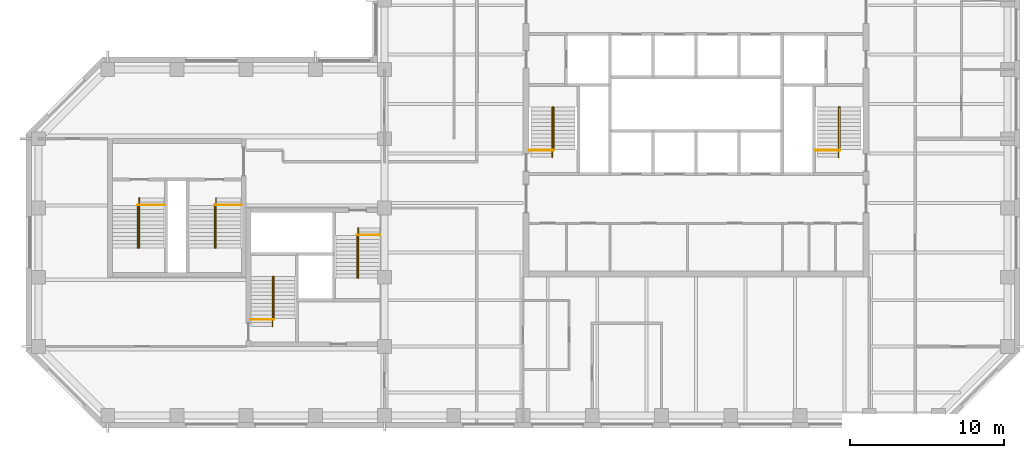
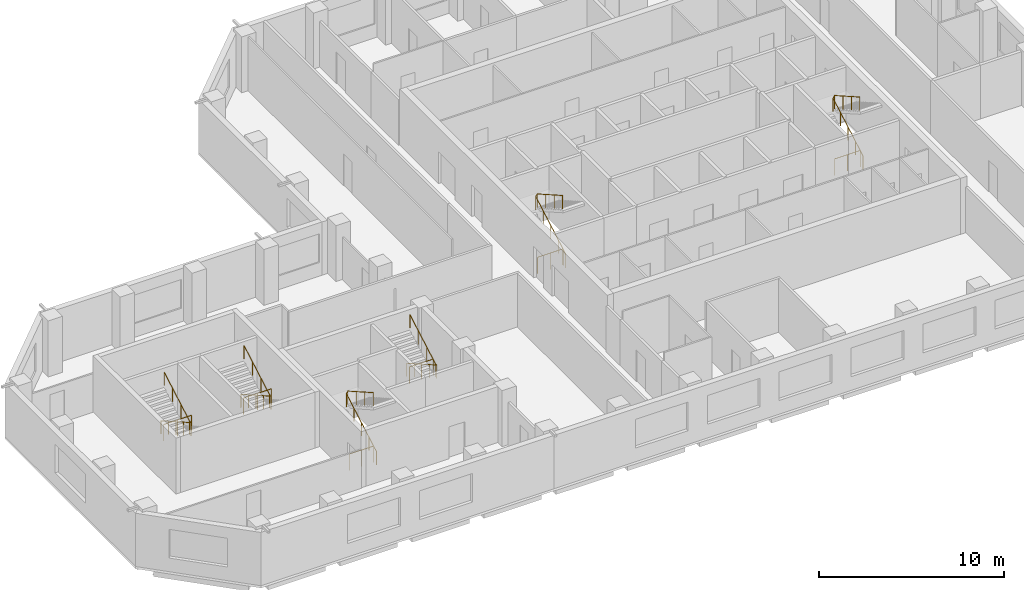
# One storey, part 9 of 9: 12 railings.
"""IFC4 building model written with IfcOpenShell, lengths in metres."""

import ifcopenshell
import ifcopenshell.guid

model = None  # the IFC model being written
_history = None  # IfcOwnerHistory: only IFC2X3 demands one
_inside = {}  # id of a spatial element -> (the spatial element, [elements in it])
_under = {}  # id of a project, library or spatial element -> (it, [spatial elements below it])
_declared = {}  # id of a project -> (the project, [libraries it declares])
_typed = {}  # id of a type object -> (the type object, [elements of that type])
_made_of = {}  # id of a material, layer set ... -> (it, [elements and type objects made of it])


def new_model(schema):
    """Start an empty IFC model of exactly this schema.

    Asked for "IFC4X3", IfcOpenShell would pick the latest addendum, in which some entities
    have other attributes; the version numbers below select the first issue.
    IFC2X3 requires an IfcOwnerHistory on every rooted entity: one is made here for all.
    """
    global model, _history
    if schema == "IFC4X3":
        model = ifcopenshell.file(schema_version=(4, 3, 0, 0))
    else:
        model = ifcopenshell.file(schema=schema)
    _inside.clear()
    _under.clear()
    _declared.clear()
    _typed.clear()
    _made_of.clear()
    _history = None
    if model.schema == "IFC2X3":
        org = make("IfcOrganization", Name="unknown")
        user = make(
            "IfcPersonAndOrganization",
            ThePerson=make("IfcPerson", FamilyName="unknown"),
            TheOrganization=org,
        )
        app = make(
            "IfcApplication",
            ApplicationDeveloper=org,
            Version="unknown",
            ApplicationFullName="unknown",
            ApplicationIdentifier="unknown",
        )
        _history = make(
            "IfcOwnerHistory",
            OwningUser=user,
            OwningApplication=app,
            ChangeAction="ADDED",
            CreationDate=0,
        )
    return model


def make(cls, **values):
    """One entity of the class cls with the attributes given. An attribute that is None is left unset."""
    return model.create_entity(
        cls, **{name: value for name, value in values.items() if value is not None}
    )


def rooted(cls, **values):
    """An entity with a GlobalId (a new one), such as an element, a storey or a relation."""
    return make(cls, GlobalId=ifcopenshell.guid.new(), OwnerHistory=_history, **values)


def si_unit(unit_type, name, prefix=None):
    """IfcSIUnit, for example si_unit("LENGTHUNIT", "METRE", prefix="MILLI")."""
    return make("IfcSIUnit", UnitType=unit_type, Prefix=prefix, Name=name)


def assignment(units):
    """IfcUnitAssignment: the units of a project."""
    return None if units is None else make("IfcUnitAssignment", Units=units)


def point(xyz):
    """IfcCartesianPoint."""
    return None if xyz is None else make("IfcCartesianPoint", Coordinates=xyz)


def direction(xyz):
    """IfcDirection."""
    return None if xyz is None else make("IfcDirection", DirectionRatios=xyz)


def frame(location, z_axis=None, x_axis=None):
    """IfcAxis2Placement3D, a coordinate frame: its origin and axes. An axis left out is left unset."""
    return make(
        "IfcAxis2Placement3D",
        Location=point(location),
        Axis=direction(z_axis),
        RefDirection=direction(x_axis),
    )


def frame_2d(location, x_axis=None):
    """IfcAxis2Placement2D, a coordinate frame in the plane: its origin and x axis."""
    return make(
        "IfcAxis2Placement2D", Location=point(location), RefDirection=direction(x_axis)
    )


def origin():
    """The frame at (0, 0, 0) with its axes left unset."""
    return frame((0.0, 0.0, 0.0))


def origin_2d():
    """The frame at (0, 0) in the plane with its x axis left unset."""
    return frame_2d((0.0, 0.0))


def place(relative_to, where):
    """IfcLocalPlacement: puts the frame where relative to a parent placement (None: the world)."""
    return make(
        "IfcLocalPlacement", PlacementRelTo=relative_to, RelativePlacement=where
    )


def context(
    kind, dimensions, precision=None, world=None, true_north=None, identifier=None
):
    """IfcGeometricRepresentationContext, for example the 3D "Model" context."""
    return make(
        "IfcGeometricRepresentationContext",
        ContextIdentifier=identifier,
        ContextType=kind,
        CoordinateSpaceDimension=dimensions,
        Precision=precision,
        WorldCoordinateSystem=world,
        TrueNorth=true_north,
    )


def subcontext(parent, identifier, kind, view, scale=None):
    """IfcGeometricRepresentationSubContext, for example "Body" below "Model"."""
    return make(
        "IfcGeometricRepresentationSubContext",
        ContextIdentifier=identifier,
        ContextType=kind,
        ParentContext=parent,
        TargetScale=scale,
        TargetView=view,
    )


def project(units=None, contexts=None):
    """IfcProject with its units and contexts."""
    return rooted(
        "IfcProject",
        Name="project",
        RepresentationContexts=contexts,
        UnitsInContext=assignment(units),
    )


def spatial(cls, under=None, at=None, **own):
    """A site, building, storey or space (cls), placed at a placement, below another one or the project."""
    s = rooted(cls, ObjectPlacement=at, **own)
    if under is not None:
        _under.setdefault(under.id(), (under, []))[1].append(s)
    return s


def profile(cls, at=None, kind="AREA", **sizes):
    """A parametric profile (cls). Its sizes go by their IFC names, for example OverallWidth=200.0."""
    return make(cls, ProfileType=kind, Position=at, **sizes)


def circle(**sizes):
    """IfcCircleProfileDef."""
    return profile("IfcCircleProfileDef", **sizes)


def extrude(swept, where, along, depth):
    """IfcExtrudedAreaSolid: the profile swept, set in the frame where, extruded along a direction by depth."""
    return make(
        "IfcExtrudedAreaSolid",
        SweptArea=swept,
        Position=where,
        ExtrudedDirection=direction(along),
        Depth=depth,
    )


def shape(context_of_items, identifier, shape_type, items):
    """IfcShapeRepresentation: the items that make up one representation, for example the "Body"."""
    return make(
        "IfcShapeRepresentation",
        ContextOfItems=context_of_items,
        RepresentationIdentifier=identifier,
        RepresentationType=shape_type,
        Items=items,
    )


def material(Name=None, Category=None):
    """IfcMaterial."""
    return make("IfcMaterial", Name=Name, Category=Category)


def made_of(thing, what):
    """Note that an element or type object is made of a material, layer set ...; save() writes the relation."""
    if what is not None:
        _made_of.setdefault(what.id(), (what, []))[1].append(thing)
    return thing


def type_object(cls, material=None, **own):
    """A type object (cls), such as IfcWallType, which elements share."""
    return made_of(rooted(cls, **own), material)


def element(
    cls,
    number,
    at=None,
    inside=None,
    cuts=None,
    type_object=None,
    material=None,
    context=None,
    identifier="Body",
    shape_type=None,
    held_by="IfcProductDefinitionShape",
    body=None,
    shapes=None,
    **own,
):
    """One element of the class cls, such as IfcWall. Its Tag is "e" and its number.

    at: its placement. inside: the storey or other place that contains it. cuts: it is an
    opening in that element (IfcRelVoidsElement). A single representation is given by context,
    identifier, shape_type and body (its items); several are given by shapes. held_by: the class
    of the entity that holds the representations. save() writes the other relations.
    """
    e = rooted(cls, Tag="e%d" % number, ObjectPlacement=at, **own)
    if body is not None:
        shapes = [shape(context, identifier, shape_type, body)]
    if shapes is not None:
        e.Representation = make(held_by, Representations=shapes)
    if inside is not None:
        _inside.setdefault(inside.id(), (inside, []))[1].append(e)
    if cuts is not None:
        rooted(
            "IfcRelVoidsElement", RelatingBuildingElement=cuts, RelatedOpeningElement=e
        )
    if type_object is not None:
        _typed.setdefault(type_object.id(), (type_object, []))[1].append(e)
    return made_of(e, material)


def aggregate(whole, parts):
    """IfcRelAggregates: a whole, such as a stair, and the parts it consists of."""
    return rooted("IfcRelAggregates", RelatingObject=whole, RelatedObjects=parts)


def save(model, path):
    """Write the relations noted so far, then the file.

    IfcRelAggregates (storeys below a building ...), IfcRelContainedInSpatialStructure (elements
    in a storey), IfcRelDefinesByType, IfcRelAssociatesMaterial and IfcRelDeclares: one each for
    every whole, place, type object, material and project.
    """
    for whole, parts in _under.values():
        aggregate(whole, parts)
    for where, things in _inside.values():
        rooted(
            "IfcRelContainedInSpatialStructure",
            RelatedElements=things,
            RelatingStructure=where,
        )
    for kind, things in _typed.values():
        rooted("IfcRelDefinesByType", RelatedObjects=things, RelatingType=kind)
    for what, things in _made_of.values():
        rooted("IfcRelAssociatesMaterial", RelatedObjects=things, RelatingMaterial=what)
    for by, libraries in _declared.values():
        rooted("IfcRelDeclares", RelatingContext=by, RelatedDefinitions=libraries)
    model.write(path)


model = new_model("IFC4")

# Units and contexts
model_context = context("Model", 3, precision=1e-05, world=origin(), true_north=direction((0.0, 1.0)))
body_context = subcontext(model_context, "Body", "Model", "MODEL_VIEW")
ifc_project = project(units=[si_unit("LENGTHUNIT", "METRE"), si_unit("AREAUNIT", "SQUARE_METRE"), si_unit("VOLUMEUNIT", "CUBIC_METRE"), si_unit("PLANEANGLEUNIT", "RADIAN"), si_unit("MASSUNIT", "GRAM", prefix="KILO")], contexts=[model_context])

# Site, building, storey
site_placement = place(None, origin())
site = spatial("IfcSite", under=ifc_project, at=site_placement, CompositionType="ELEMENT")
building_placement = place(site_placement, origin())
building = spatial("IfcBuilding", under=site, at=building_placement, Name="Quoin Convention Tower", CompositionType="ELEMENT")
storey_placement = place(building_placement, frame((0.0, 0.0, 155.10009765625)))
storey = spatial("IfcBuildingStorey", under=building, at=storey_placement, Name="L40", CompositionType="ELEMENT", Elevation=155.10009765625)

# Railings
ifc_material = material(Name="Stainless steel", Category="steel")
railing_type_1 = type_object("IfcRailingType", Name="Stair handrail 900", PredefinedType="HANDRAIL", material=ifc_material)
railing_1_placement = place(storey_placement, frame((46.905029296875, 57.300048828125, 0.14208984375)))
element("IfcRailing", 1, at=railing_1_placement, inside=storey, type_object=railing_type_1, Name="SD1 handrail 1", PredefinedType="HANDRAIL", context=body_context, shape_type="SweptSolid", body=[
    extrude(circle(Radius=0.02392578125, at=origin_2d()), frame((0.0, 0.0, 0.8759765625), z_axis=(0.0, 0.869053504361, 0.494718108177), x_axis=(-1.0, 0.0, 0.0)), (0.0, 0.0, 1.0), 3.73974609375),
    extrude(circle(Radius=0.02392578125, at=origin_2d()), frame((0.0, 3.25, 2.72607421875), z_axis=(0.53481069233, 0.0, 0.844971906852), x_axis=(0.0, 1.0, 0.0)), (0.0, 0.0, 1.0), 0.16845703125),
    extrude(circle(Radius=0.02392578125, at=origin_2d()), frame((0.090087890625, 3.25, 2.8681640625), z_axis=(0.0, -0.869058607571, 0.494709143443), x_axis=(1.0, 0.0, 0.0)), (0.0, 0.0, 1.0), 3.164306640625),
    extrude(circle(Radius=0.02099609375, at=origin_2d()), origin(), (0.0, 0.0, 1.0), 0.851806640625),
    extrude(circle(Radius=0.02099609375, at=origin_2d()), frame((0.0, 0.8125, 0.46240234375)), (0.0, 0.0, 1.0), 0.851806640625),
    extrude(circle(Radius=0.02099609375, at=origin_2d()), frame((0.0, 1.625, 0.925048828125)), (0.0, 0.0, 1.0), 0.851806640625),
    extrude(circle(Radius=0.02099609375, at=origin_2d()), frame((0.0, 2.4375, 1.3876953125)), (0.0, 0.0, 1.0), 0.851806640625),
    extrude(circle(Radius=0.02099609375, at=origin_2d()), frame((0.0, 3.25, 1.85009765625)), (0.0, 0.0, 1.0), 0.851806640625),
    extrude(circle(Radius=0.02099609375, at=origin_2d()), frame((0.090087890625, 3.25, 1.992431640625)), (0.0, 0.0, 1.0), 0.851806640625),
    extrude(circle(Radius=0.02099609375, at=origin_2d()), frame((0.090087890625, 2.333251953125, 2.51416015625)), (0.0, 0.0, 1.0), 0.851806640625),
    extrude(circle(Radius=0.02099609375, at=origin_2d()), frame((0.090087890625, 1.416748046875, 3.0361328125)), (0.0, 0.0, 1.0), 0.851806640625),
    extrude(circle(Radius=0.02099609375, at=origin_2d()), frame((0.090087890625, 0.5, 3.557861328125)), (0.0, 0.0, 1.0), 0.851806640625),
])
railing_2_placement = place(storey_placement, frame((65.5048828125, 57.300048828125, 0.14208984375)))
element("IfcRailing", 2, at=railing_2_placement, inside=storey, type_object=railing_type_1, Name="SD2 handrail 1", PredefinedType="HANDRAIL", context=body_context, shape_type="SweptSolid", body=[
    extrude(circle(Radius=0.02392578125, at=origin_2d()), frame((0.0, 0.0, 0.8759765625), z_axis=(0.0, 0.869053504361, 0.494718108177), x_axis=(-1.0, 0.0, 0.0)), (0.0, 0.0, 1.0), 3.73974609375),
    extrude(circle(Radius=0.02392578125, at=origin_2d()), frame((0.0, 3.25, 2.72607421875), z_axis=(0.53481069233, 0.0, 0.844971906852), x_axis=(0.0, 1.0, 0.0)), (0.0, 0.0, 1.0), 0.16845703125),
    extrude(circle(Radius=0.02392578125, at=origin_2d()), frame((0.090087890625, 3.25, 2.8681640625), z_axis=(0.0, -0.869058607571, 0.494709143443), x_axis=(1.0, 0.0, 0.0)), (0.0, 0.0, 1.0), 3.164306640625),
    extrude(circle(Radius=0.02099609375, at=origin_2d()), origin(), (0.0, 0.0, 1.0), 0.851806640625),
    extrude(circle(Radius=0.02099609375, at=origin_2d()), frame((0.0, 0.8125, 0.46240234375)), (0.0, 0.0, 1.0), 0.851806640625),
    extrude(circle(Radius=0.02099609375, at=origin_2d()), frame((0.0, 1.625, 0.925048828125)), (0.0, 0.0, 1.0), 0.851806640625),
    extrude(circle(Radius=0.02099609375, at=origin_2d()), frame((0.0, 2.4375, 1.3876953125)), (0.0, 0.0, 1.0), 0.851806640625),
    extrude(circle(Radius=0.02099609375, at=origin_2d()), frame((0.0, 3.25, 1.85009765625)), (0.0, 0.0, 1.0), 0.851806640625),
    extrude(circle(Radius=0.02099609375, at=origin_2d()), frame((0.090087890625, 3.25, 1.992431640625)), (0.0, 0.0, 1.0), 0.851806640625),
    extrude(circle(Radius=0.02099609375, at=origin_2d()), frame((0.090087890625, 2.333251953125, 2.51416015625)), (0.0, 0.0, 1.0), 0.851806640625),
    extrude(circle(Radius=0.02099609375, at=origin_2d()), frame((0.090087890625, 1.416748046875, 3.0361328125)), (0.0, 0.0, 1.0), 0.851806640625),
    extrude(circle(Radius=0.02099609375, at=origin_2d()), frame((0.090087890625, 0.5, 3.557861328125)), (0.0, 0.0, 1.0), 0.851806640625),
])
railing_3_placement = place(storey_placement, frame((28.705078125, 46.300048828125, 0.14208984375)))
element("IfcRailing", 3, at=railing_3_placement, inside=storey, type_object=railing_type_1, Name="SD3 handrail 1", PredefinedType="HANDRAIL", context=body_context, shape_type="SweptSolid", body=[
    extrude(circle(Radius=0.02392578125, at=origin_2d()), frame((0.0, 0.0, 0.8759765625), z_axis=(0.0, 0.869053504361, 0.494718108177), x_axis=(-1.0, 0.0, 0.0)), (0.0, 0.0, 1.0), 3.73974609375),
    extrude(circle(Radius=0.02392578125, at=origin_2d()), frame((0.0, 3.25, 2.72607421875), z_axis=(0.533774684331, 0.0, 0.845626741753), x_axis=(0.0, 1.0, 0.0)), (0.0, 0.0, 1.0), 0.168212890625),
    extrude(circle(Radius=0.02392578125, at=origin_2d()), frame((0.08984375, 3.25, 2.8681640625), z_axis=(0.0, -0.869058607571, 0.494709143443), x_axis=(1.0, 0.0, 0.0)), (0.0, 0.0, 1.0), 3.164306640625),
    extrude(circle(Radius=0.02099609375, at=origin_2d()), origin(), (0.0, 0.0, 1.0), 0.851806640625),
    extrude(circle(Radius=0.02099609375, at=origin_2d()), frame((0.0, 0.8125, 0.46240234375)), (0.0, 0.0, 1.0), 0.851806640625),
    extrude(circle(Radius=0.02099609375, at=origin_2d()), frame((0.0, 1.625, 0.925048828125)), (0.0, 0.0, 1.0), 0.851806640625),
    extrude(circle(Radius=0.02099609375, at=origin_2d()), frame((0.0, 2.4375, 1.3876953125)), (0.0, 0.0, 1.0), 0.851806640625),
    extrude(circle(Radius=0.02099609375, at=origin_2d()), frame((0.0, 3.25, 1.85009765625)), (0.0, 0.0, 1.0), 0.851806640625),
    extrude(circle(Radius=0.02099609375, at=origin_2d()), frame((0.08984375, 3.25, 1.992431640625)), (0.0, 0.0, 1.0), 0.851806640625),
    extrude(circle(Radius=0.02099609375, at=origin_2d()), frame((0.08984375, 2.333251953125, 2.51416015625)), (0.0, 0.0, 1.0), 0.851806640625),
    extrude(circle(Radius=0.02099609375, at=origin_2d()), frame((0.08984375, 1.416748046875, 3.0361328125)), (0.0, 0.0, 1.0), 0.851806640625),
    extrude(circle(Radius=0.02099609375, at=origin_2d()), frame((0.08984375, 0.5, 3.557861328125)), (0.0, 0.0, 1.0), 0.851806640625),
])
railing_4_placement = place(storey_placement, frame((34.294921875, 52.699951171875, 0.14208984375)))
element("IfcRailing", 4, at=railing_4_placement, inside=storey, type_object=railing_type_1, Name="SD4 handrail 1", PredefinedType="HANDRAIL", context=body_context, shape_type="SweptSolid", body=[
    extrude(circle(Radius=0.02392578125, at=origin_2d()), frame((0.0, 0.0, 0.8759765625), z_axis=(0.0, -0.869053504361, 0.494718108177), x_axis=(1.0, 0.0, 0.0)), (0.0, 0.0, 1.0), 3.73974609375),
    extrude(circle(Radius=0.02392578125, at=origin_2d()), frame((0.0, -3.25, 2.72607421875), z_axis=(-0.533774684331, 0.0, 0.845626741753), x_axis=(0.0, -1.0, 0.0)), (0.0, 0.0, 1.0), 0.168212890625),
    extrude(circle(Radius=0.02392578125, at=origin_2d()), frame((-0.08984375, -3.25, 2.8681640625), z_axis=(0.0, 0.869058607571, 0.494709143443), x_axis=(-1.0, 0.0, 0.0)), (0.0, 0.0, 1.0), 3.164306640625),
    extrude(circle(Radius=0.02099609375, at=origin_2d()), origin(), (0.0, 0.0, 1.0), 0.851806640625),
    extrude(circle(Radius=0.02099609375, at=origin_2d()), frame((0.0, -0.8125, 0.46240234375)), (0.0, 0.0, 1.0), 0.851806640625),
    extrude(circle(Radius=0.02099609375, at=origin_2d()), frame((0.0, -1.625, 0.925048828125)), (0.0, 0.0, 1.0), 0.851806640625),
    extrude(circle(Radius=0.02099609375, at=origin_2d()), frame((0.0, -2.4375, 1.3876953125)), (0.0, 0.0, 1.0), 0.851806640625),
    extrude(circle(Radius=0.02099609375, at=origin_2d()), frame((0.0, -3.25, 1.85009765625)), (0.0, 0.0, 1.0), 0.851806640625),
    extrude(circle(Radius=0.02099609375, at=origin_2d()), frame((-0.08984375, -3.25, 1.992431640625)), (0.0, 0.0, 1.0), 0.851806640625),
    extrude(circle(Radius=0.02099609375, at=origin_2d()), frame((-0.08984375, -2.333251953125, 2.51416015625)), (0.0, 0.0, 1.0), 0.851806640625),
    extrude(circle(Radius=0.02099609375, at=origin_2d()), frame((-0.08984375, -1.416748046875, 3.0361328125)), (0.0, 0.0, 1.0), 0.851806640625),
    extrude(circle(Radius=0.02099609375, at=origin_2d()), frame((-0.08984375, -0.5, 3.557861328125)), (0.0, 0.0, 1.0), 0.851806640625),
])
railing_5_placement = place(storey_placement, frame((20.044921875, 54.64990234375, 0.14208984375)))
element("IfcRailing", 5, at=railing_5_placement, inside=storey, type_object=railing_type_1, Name="SD11 handrail 1", PredefinedType="HANDRAIL", context=body_context, shape_type="SweptSolid", body=[
    extrude(circle(Radius=0.02392578125, at=origin_2d()), frame((0.0, 0.0, 0.8759765625), z_axis=(0.0, -0.869053504361, 0.494718108177), x_axis=(1.0, 0.0, 0.0)), (0.0, 0.0, 1.0), 3.73974609375),
    extrude(circle(Radius=0.02392578125, at=origin_2d()), frame((0.0, -3.25, 2.72607421875), z_axis=(-0.533774684331, 0.0, 0.845626741753), x_axis=(0.0, -1.0, 0.0)), (0.0, 0.0, 1.0), 0.168212890625),
    extrude(circle(Radius=0.02392578125, at=origin_2d()), frame((-0.08984375, -3.25, 2.8681640625), z_axis=(0.0, 0.869058607571, 0.494709143443), x_axis=(-1.0, 0.0, 0.0)), (0.0, 0.0, 1.0), 3.164306640625),
    extrude(circle(Radius=0.02099609375, at=origin_2d()), origin(), (0.0, 0.0, 1.0), 0.851806640625),
    extrude(circle(Radius=0.02099609375, at=origin_2d()), frame((0.0, -0.8125, 0.46240234375)), (0.0, 0.0, 1.0), 0.851806640625),
    extrude(circle(Radius=0.02099609375, at=origin_2d()), frame((0.0, -1.625, 0.925048828125)), (0.0, 0.0, 1.0), 0.851806640625),
    extrude(circle(Radius=0.02099609375, at=origin_2d()), frame((0.0, -2.4375, 1.3876953125)), (0.0, 0.0, 1.0), 0.851806640625),
    extrude(circle(Radius=0.02099609375, at=origin_2d()), frame((0.0, -3.25, 1.85009765625)), (0.0, 0.0, 1.0), 0.851806640625),
    extrude(circle(Radius=0.02099609375, at=origin_2d()), frame((-0.08984375, -3.25, 1.992431640625)), (0.0, 0.0, 1.0), 0.851806640625),
    extrude(circle(Radius=0.02099609375, at=origin_2d()), frame((-0.08984375, -2.333251953125, 2.51416015625)), (0.0, 0.0, 1.0), 0.851806640625),
    extrude(circle(Radius=0.02099609375, at=origin_2d()), frame((-0.08984375, -1.416748046875, 3.0361328125)), (0.0, 0.0, 1.0), 0.851806640625),
    extrude(circle(Radius=0.02099609375, at=origin_2d()), frame((-0.08984375, -0.5, 3.557861328125)), (0.0, 0.0, 1.0), 0.851806640625),
])
railing_6_placement = place(storey_placement, frame((25.044921875, 54.64990234375, 0.14208984375)))
element("IfcRailing", 6, at=railing_6_placement, inside=storey, type_object=railing_type_1, Name="SD12 handrail 1", PredefinedType="HANDRAIL", context=body_context, shape_type="SweptSolid", body=[
    extrude(circle(Radius=0.02392578125, at=origin_2d()), frame((0.0, 0.0, 0.8759765625), z_axis=(0.0, -0.869053504361, 0.494718108177), x_axis=(1.0, 0.0, 0.0)), (0.0, 0.0, 1.0), 3.73974609375),
    extrude(circle(Radius=0.02392578125, at=origin_2d()), frame((0.0, -3.25, 2.72607421875), z_axis=(-0.533774684331, 0.0, 0.845626741753), x_axis=(0.0, -1.0, 0.0)), (0.0, 0.0, 1.0), 0.168212890625),
    extrude(circle(Radius=0.02392578125, at=origin_2d()), frame((-0.08984375, -3.25, 2.8681640625), z_axis=(0.0, 0.869058607571, 0.494709143443), x_axis=(-1.0, 0.0, 0.0)), (0.0, 0.0, 1.0), 3.164306640625),
    extrude(circle(Radius=0.02099609375, at=origin_2d()), origin(), (0.0, 0.0, 1.0), 0.851806640625),
    extrude(circle(Radius=0.02099609375, at=origin_2d()), frame((0.0, -0.8125, 0.46240234375)), (0.0, 0.0, 1.0), 0.851806640625),
    extrude(circle(Radius=0.02099609375, at=origin_2d()), frame((0.0, -1.625, 0.925048828125)), (0.0, 0.0, 1.0), 0.851806640625),
    extrude(circle(Radius=0.02099609375, at=origin_2d()), frame((0.0, -2.4375, 1.3876953125)), (0.0, 0.0, 1.0), 0.851806640625),
    extrude(circle(Radius=0.02099609375, at=origin_2d()), frame((0.0, -3.25, 1.85009765625)), (0.0, 0.0, 1.0), 0.851806640625),
    extrude(circle(Radius=0.02099609375, at=origin_2d()), frame((-0.08984375, -3.25, 1.992431640625)), (0.0, 0.0, 1.0), 0.851806640625),
    extrude(circle(Radius=0.02099609375, at=origin_2d()), frame((-0.08984375, -2.333251953125, 2.51416015625)), (0.0, 0.0, 1.0), 0.851806640625),
    extrude(circle(Radius=0.02099609375, at=origin_2d()), frame((-0.08984375, -1.416748046875, 3.0361328125)), (0.0, 0.0, 1.0), 0.851806640625),
    extrude(circle(Radius=0.02099609375, at=origin_2d()), frame((-0.08984375, -0.5, 3.557861328125)), (0.0, 0.0, 1.0), 0.851806640625),
])
railing_type_2 = type_object("IfcRailingType", Name="Stair top guard 1100", PredefinedType="GUARDRAIL", material=ifc_material)
railing_7_placement = place(storey_placement, frame((45.39990234375, 57.75, 0.0)))
element("IfcRailing", 7, at=railing_7_placement, inside=storey, type_object=railing_type_2, Name="SD1 top guard", PredefinedType="GUARDRAIL", context=body_context, shape_type="SweptSolid", body=[
    extrude(circle(Radius=0.02392578125, at=origin_2d()), frame((0.0, 0.0, 1.076171875), z_axis=(1.0, 0.0, 0.0), x_axis=(0.0, 1.0, 0.0)), (0.0, 0.0, 1.0), 1.59521484375),
    extrude(circle(Radius=0.02099609375, at=origin_2d()), origin(), (0.0, 0.0, 1.0), 1.052001953125),
    extrude(circle(Radius=0.02099609375, at=origin_2d()), frame((0.797607421875, 0.0, 0.0)), (0.0, 0.0, 1.0), 1.052001953125),
    extrude(circle(Radius=0.02099609375, at=origin_2d()), frame((1.59521484375, 0.0, 0.0)), (0.0, 0.0, 1.0), 1.052001953125),
])
railing_8_placement = place(storey_placement, frame((64.0, 57.75, 0.0)))
element("IfcRailing", 8, at=railing_8_placement, inside=storey, type_object=railing_type_2, Name="SD2 top guard", PredefinedType="GUARDRAIL", context=body_context, shape_type="SweptSolid", body=[
    extrude(circle(Radius=0.02392578125, at=origin_2d()), frame((0.0, 0.0, 1.076171875), z_axis=(1.0, 0.0, 0.0), x_axis=(0.0, 1.0, 0.0)), (0.0, 0.0, 1.0), 1.594970703125),
    extrude(circle(Radius=0.02099609375, at=origin_2d()), origin(), (0.0, 0.0, 1.0), 1.052001953125),
    extrude(circle(Radius=0.02099609375, at=origin_2d()), frame((0.79736328125, 0.0, 0.0)), (0.0, 0.0, 1.0), 1.052001953125),
    extrude(circle(Radius=0.02099609375, at=origin_2d()), frame((1.594970703125, 0.0, 0.0)), (0.0, 0.0, 1.0), 1.052001953125),
])
railing_9_placement = place(storey_placement, frame((27.300048828125, 46.75, 0.0)))
element("IfcRailing", 9, at=railing_9_placement, inside=storey, type_object=railing_type_2, Name="SD3 top guard", PredefinedType="GUARDRAIL", context=body_context, shape_type="SweptSolid", body=[
    extrude(circle(Radius=0.02392578125, at=origin_2d()), frame((0.0, 0.0, 1.076171875), z_axis=(1.0, 0.0, 0.0), x_axis=(0.0, 1.0, 0.0)), (0.0, 0.0, 1.0), 1.494873046875),
    extrude(circle(Radius=0.02099609375, at=origin_2d()), origin(), (0.0, 0.0, 1.0), 1.052001953125),
    extrude(circle(Radius=0.02099609375, at=origin_2d()), frame((0.74755859375, 0.0, 0.0)), (0.0, 0.0, 1.0), 1.052001953125),
    extrude(circle(Radius=0.02099609375, at=origin_2d()), frame((1.494873046875, 0.0, 0.0)), (0.0, 0.0, 1.0), 1.052001953125),
])
railing_10_placement = place(storey_placement, frame((35.699951171875, 52.25, 0.0)))
element("IfcRailing", 10, at=railing_10_placement, inside=storey, type_object=railing_type_2, Name="SD4 top guard", PredefinedType="GUARDRAIL", context=body_context, shape_type="SweptSolid", body=[
    extrude(circle(Radius=0.02392578125, at=origin_2d()), frame((0.0, 0.0, 1.076171875), z_axis=(-1.0, 0.0, 0.0), x_axis=(0.0, -1.0, 0.0)), (0.0, 0.0, 1.0), 1.494873046875),
    extrude(circle(Radius=0.02099609375, at=origin_2d()), origin(), (0.0, 0.0, 1.0), 1.052001953125),
    extrude(circle(Radius=0.02099609375, at=origin_2d()), frame((-0.74755859375, 0.0, 0.0)), (0.0, 0.0, 1.0), 1.052001953125),
    extrude(circle(Radius=0.02099609375, at=origin_2d()), frame((-1.494873046875, 0.0, 0.0)), (0.0, 0.0, 1.0), 1.052001953125),
])
for number, where, name in (
    (11, (21.699951171875, 54.199951171875, 0.0), "SD11 top guard"),
    (12, (26.699951171875, 54.199951171875, 0.0), "SD12 top guard"),
):
    element("IfcRailing", number, at=place(storey_placement, frame(where)), inside=storey, type_object=railing_type_2, Name=name, PredefinedType="GUARDRAIL", context=body_context, shape_type="SweptSolid", body=[
        extrude(circle(Radius=0.02392578125, at=origin_2d()), frame((0.0, 0.0, 1.076171875), z_axis=(-1.0, 0.0, 0.0), x_axis=(0.0, -1.0, 0.0)), (0.0, 0.0, 1.0), 1.744873046875),
        extrude(circle(Radius=0.02099609375, at=origin_2d()), origin(), (0.0, 0.0, 1.0), 1.052001953125),
        extrude(circle(Radius=0.02099609375, at=origin_2d()), frame((-0.87255859375, 0.0, 0.0)), (0.0, 0.0, 1.0), 1.052001953125),
        extrude(circle(Radius=0.02099609375, at=origin_2d()), frame((-1.744873046875, 0.0, 0.0)), (0.0, 0.0, 1.0), 1.052001953125),
    ])

save(model, "model.ifc")
